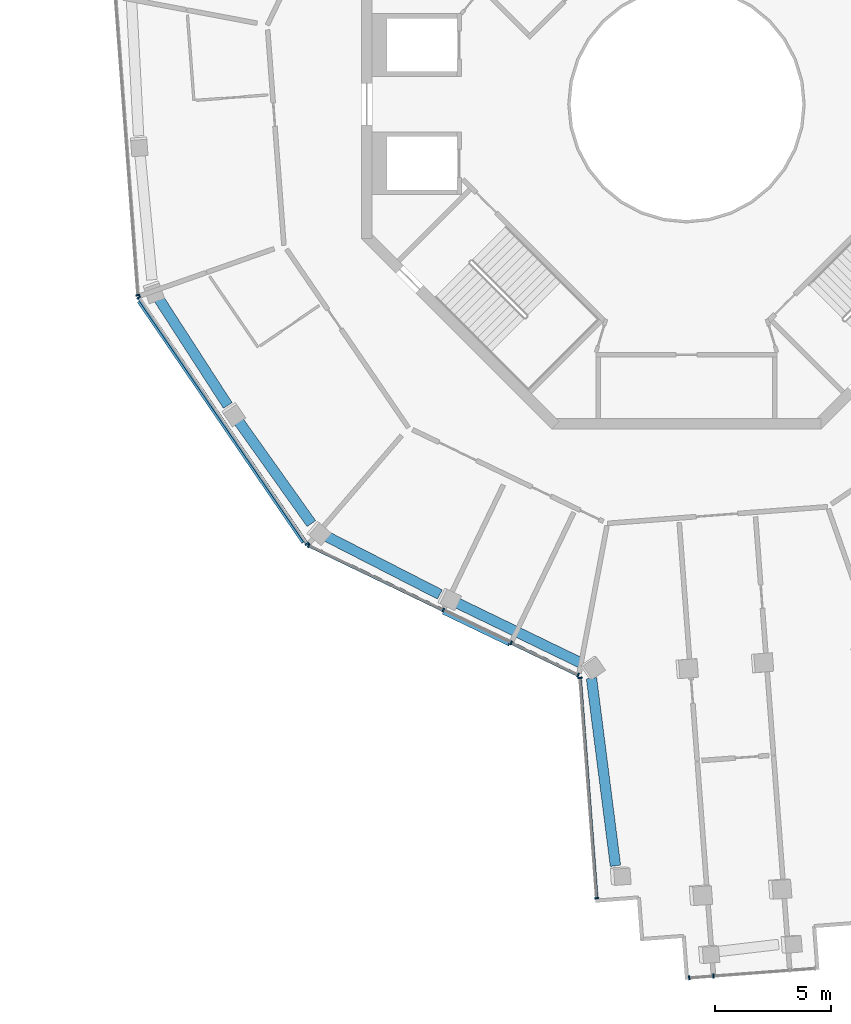
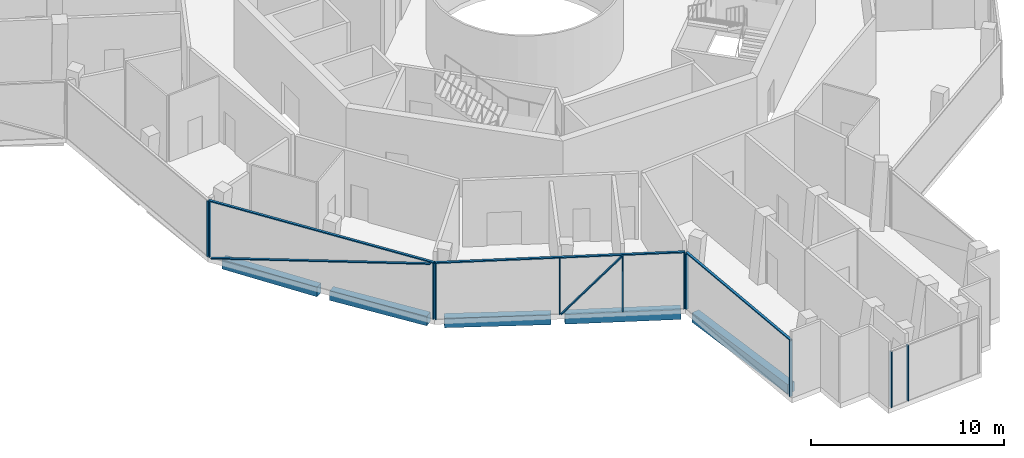
# One storey, part 2 of 19: 16 members, 5 beams, 5 elements without a shape of their own.
"""IFC4 building model written with IfcOpenShell, lengths in metres."""

from ifc_helpers import new_model, si_unit, direction, frame, origin, origin_2d, place, context, subcontext, project, spatial, rectangle, extrude, material, layer, layer_set, material_profile, profile_set, type_object, element, aggregate, save


model = new_model("IFC4")

# Units and contexts
model_context = context("Model", 3, precision=1e-05, world=origin(), true_north=direction((0.0, 1.0)))
body_context = subcontext(model_context, "Body", "Model", "MODEL_VIEW")
ifc_project = project(units=[si_unit("LENGTHUNIT", "METRE"), si_unit("AREAUNIT", "SQUARE_METRE"), si_unit("VOLUMEUNIT", "CUBIC_METRE"), si_unit("PLANEANGLEUNIT", "RADIAN"), si_unit("MASSUNIT", "GRAM", prefix="KILO")], contexts=[model_context])

# Site, building, storey
site_placement = place(None, origin())
site = spatial("IfcSite", under=ifc_project, at=site_placement, CompositionType="ELEMENT")
building_placement = place(site_placement, origin())
building = spatial("IfcBuilding", under=site, at=building_placement, Name="Verdalira Terraces Hotel", CompositionType="ELEMENT")
storey_placement = place(building_placement, frame((0.0, 0.0, 295.0)))
storey = spatial("IfcBuildingStorey", under=building, at=storey_placement, Name="L73", CompositionType="ELEMENT", Elevation=295.0)

# Curtain wall, member
ifc_material_1 = material(Name="Clear glass", Category="glass")
ifc_layer = layer(ifc_material_1, 0.179931640625)
ifc_layer_set = layer_set([ifc_layer], Name="CW4 curtain wall")
curtain_wall_type = type_object("IfcCurtainWallType", Name="CW4 curtain wall", PredefinedType="NOTDEFINED", material=ifc_layer_set)
curtain_wall_1_placement = place(storey_placement, origin())
curtain_wall_1 = element("IfcCurtainWall", 1, at=curtain_wall_1_placement, inside=storey, type_object=curtain_wall_type, Name="CW4 curtain wall L73 edge 11", PredefinedType="NOTDEFINED")
ifc_material_2 = material(Name="Terracotta frame", Category="masonry")
ifc_material_profile_1 = material_profile(ifc_material_2, rectangle(XDim=0.064941, YDim=0.179932, at=origin_2d()), Name="MU 65x180")
ifc_profile_set_1 = profile_set([ifc_material_profile_1], Name="Terracotta frame")
member_type_1 = type_object("IfcMemberType", Name="CW4 mullion 65x180", PredefinedType="MULLION", material=ifc_profile_set_1)
member_1_placement = place(storey_placement, frame((-23.645508, -8.231934, 0.0), z_axis=(0.0, 0.0, 1.0), x_axis=(0.075326806, -0.9971589, 0.0)))
member_1 = element("IfcMember", 2, at=member_1_placement, type_object=member_type_1, Name="CW4 mullion", PredefinedType="MULLION", context=body_context, shape_type="SweptSolid", body=[
    extrude(rectangle(XDim=0.064941, YDim=0.179932, at=origin_2d()), origin(), (0.0, 0.0, 1.0), 3.52002),
])
aggregate(curtain_wall_1, [member_1])

# Curtain wall, members
curtain_wall_2_placement = place(storey_placement, origin())
curtain_wall_2 = element("IfcCurtainWall", 3, at=curtain_wall_2_placement, inside=storey, type_object=curtain_wall_type, Name="CW4 curtain wall L73 edge 12", PredefinedType="NOTDEFINED")
member_2_placement = place(storey_placement, frame((-23.609131, -8.334961, 0.0), z_axis=(0.0, 0.0, 1.0), x_axis=(0.563814377, -0.825901536, 0.0)))
member_2 = element("IfcMember", 4, at=member_2_placement, type_object=member_type_1, Name="CW4 mullion", PredefinedType="MULLION", context=body_context, shape_type="SweptSolid", body=[
    extrude(rectangle(XDim=0.064941, YDim=0.179932, at=origin_2d()), origin(), (0.0, 0.0, 1.0), 3.52002),
])
member_3_placement = place(storey_placement, frame((-16.361572, -18.95166, 0.0), z_axis=(0.0, 0.0, 1.0), x_axis=(0.563814377, -0.825901536, 0.0)))
member_3 = element("IfcMember", 5, at=member_3_placement, type_object=member_type_1, Name="CW4 mullion", PredefinedType="MULLION", context=body_context, shape_type="SweptSolid", body=[
    extrude(rectangle(XDim=0.064941, YDim=0.179932, at=origin_2d()), origin(), (0.0, 0.0, 1.0), 3.52002),
])

curtain_wall_3_placement = place(storey_placement, origin())
curtain_wall_3 = element("IfcCurtainWall", 6, at=curtain_wall_3_placement, inside=storey, type_object=curtain_wall_type, Name="CW4 curtain wall L73 edge 13", PredefinedType="NOTDEFINED")
member_4_placement = place(storey_placement, frame((-16.278564, -19.022949, 0.0), z_axis=(0.0, 0.0, 1.0), x_axis=(0.901228342, -0.433344523, 0.0)))
member_4 = element("IfcMember", 7, at=member_4_placement, type_object=member_type_1, Name="CW4 mullion", PredefinedType="MULLION", context=body_context, shape_type="SweptSolid", body=[
    extrude(rectangle(XDim=0.064941, YDim=0.179932, at=origin_2d()), origin(), (0.0, 0.0, 1.0), 3.52002),
])
member_5_placement = place(storey_placement, frame((-10.486328, -21.808105, 0.0), z_axis=(0.0, 0.0, 1.0), x_axis=(0.901228342, -0.433344523, 0.0)))
member_5 = element("IfcMember", 8, at=member_5_placement, type_object=member_type_1, Name="CW4 mullion", PredefinedType="MULLION", context=body_context, shape_type="SweptSolid", body=[
    extrude(rectangle(XDim=0.064941, YDim=0.179932, at=origin_2d()), origin(), (0.0, 0.0, 1.0), 3.52002),
])
member_6_placement = place(storey_placement, frame((-7.557129, -23.216553, 0.0), z_axis=(0.0, 0.0, 1.0), x_axis=(0.901228342, -0.433344523, 0.0)))
member_6 = element("IfcMember", 9, at=member_6_placement, type_object=member_type_1, Name="CW4 mullion", PredefinedType="MULLION", context=body_context, shape_type="SweptSolid", body=[
    extrude(rectangle(XDim=0.064941, YDim=0.179932, at=origin_2d()), origin(), (0.0, 0.0, 1.0), 3.52002),
])
member_7_placement = place(storey_placement, frame((-4.673096, -24.603271, 0.0), z_axis=(0.0, 0.0, 1.0), x_axis=(0.901228342, -0.433344523, 0.0)))
member_7 = element("IfcMember", 10, at=member_7_placement, type_object=member_type_1, Name="CW4 mullion", PredefinedType="MULLION", context=body_context, shape_type="SweptSolid", body=[
    extrude(rectangle(XDim=0.064941, YDim=0.179932, at=origin_2d()), origin(), (0.0, 0.0, 1.0), 3.52002),
])

curtain_wall_4_placement = place(storey_placement, origin())
curtain_wall_4 = element("IfcCurtainWall", 11, at=curtain_wall_4_placement, inside=storey, type_object=curtain_wall_type, Name="CW4 curtain wall L73 edge 14", PredefinedType="NOTDEFINED")
member_8_placement = place(storey_placement, frame((-4.590576, -24.724121, 0.0), z_axis=(0.0, 0.0, 1.0), x_axis=(0.075326806, -0.9971589, 0.0)))
member_8 = element("IfcMember", 12, at=member_8_placement, type_object=member_type_1, Name="CW4 mullion", PredefinedType="MULLION", context=body_context, shape_type="SweptSolid", body=[
    extrude(rectangle(XDim=0.064941, YDim=0.179932, at=origin_2d()), origin(), (0.0, 0.0, 1.0), 3.52002),
])
member_9_placement = place(storey_placement, frame((-3.873047, -34.223877, 0.0), z_axis=(0.0, 0.0, 1.0), x_axis=(0.075326806, -0.9971589, 0.0)))
member_9 = element("IfcMember", 13, at=member_9_placement, type_object=member_type_1, Name="CW4 mullion", PredefinedType="MULLION", context=body_context, shape_type="SweptSolid", body=[
    extrude(rectangle(XDim=0.064941, YDim=0.179932, at=origin_2d()), origin(), (0.0, 0.0, 1.0), 3.52002),
])

curtain_wall_5_placement = place(storey_placement, origin())
curtain_wall_5 = element("IfcCurtainWall", 14, at=curtain_wall_5_placement, inside=storey, type_object=curtain_wall_type, Name="CW4 curtain wall L73 edge 19", PredefinedType="NOTDEFINED")
member_10_placement = place(storey_placement, frame((0.119385, -37.655518, 0.0), z_axis=(0.0, 0.0, 1.0), x_axis=(0.9971589, 0.075326806, 0.0)))
member_10 = element("IfcMember", 15, at=member_10_placement, type_object=member_type_1, Name="CW4 mullion", PredefinedType="MULLION", context=body_context, shape_type="SweptSolid", body=[
    extrude(rectangle(XDim=0.064941, YDim=0.179932, at=origin_2d()), origin(), (0.0, 0.0, 1.0), 3.52002),
])
member_11_placement = place(storey_placement, frame((1.163818, -37.576416, 0.0), z_axis=(0.0, 0.0, 1.0), x_axis=(0.9971589, 0.075326806, 0.0)))
member_11 = element("IfcMember", 16, at=member_11_placement, type_object=member_type_1, Name="CW4 mullion", PredefinedType="MULLION", context=body_context, shape_type="SweptSolid", body=[
    extrude(rectangle(XDim=0.064941, YDim=0.179932, at=origin_2d()), origin(), (0.0, 0.0, 1.0), 3.52002),
])
aggregate(curtain_wall_5, [member_10, member_11])

# Member
ifc_material_3 = material(Name="Terracotta frame", Category="masonry")
ifc_material_profile_2 = material_profile(ifc_material_3, rectangle(XDim=0.139893, YDim=0.070068, at=origin_2d()), Name="TR 70x140")
ifc_profile_set_2 = profile_set([ifc_material_profile_2], Name="Terracotta frame")
member_type_2 = type_object("IfcMemberType", Name="CW4 transom 70x140", PredefinedType="USERDEFINED", material=ifc_profile_set_2)
member_12_placement = place(storey_placement, frame((-23.627686, -8.308105, 3.554932), z_axis=(0.563819886, -0.825897776, 0.0), x_axis=(0.825897776, 0.563819886, 0.0)))
member_12 = element("IfcMember", 17, at=member_12_placement, type_object=member_type_2, Name="CW4 transom", ObjectType="TRANSOM", PredefinedType="USERDEFINED", context=body_context, shape_type="SweptSolid", body=[
    extrude(rectangle(XDim=0.139893, YDim=0.070068, at=origin_2d()), origin(), (0.0, 0.0, 1.0), 12.919678),
])

member_13_placement = place(storey_placement, frame((-16.307861, -19.008789, 3.554932), z_axis=(0.901224657, -0.433352186, 0.0), x_axis=(0.433352186, 0.901224657, 0.0)))
member_13 = element("IfcMember", 18, at=member_13_placement, type_object=member_type_2, Name="CW4 transom", ObjectType="TRANSOM", PredefinedType="USERDEFINED", context=body_context, shape_type="SweptSolid", body=[
    extrude(rectangle(XDim=0.139893, YDim=0.070068, at=origin_2d()), origin(), (0.0, 0.0, 1.0), 12.942383),
])

member_14_placement = place(storey_placement, frame((-4.593018, -24.691895, 3.554932), z_axis=(0.075316406, -0.997159686, 0.0), x_axis=(0.997159686, 0.075316406, 0.0)))
member_14 = element("IfcMember", 19, at=member_14_placement, type_object=member_type_2, Name="CW4 transom", ObjectType="TRANSOM", PredefinedType="USERDEFINED", context=body_context, shape_type="SweptSolid", body=[
    extrude(rectangle(XDim=0.139893, YDim=0.070068, at=origin_2d()), origin(), (0.0, 0.0, 1.0), 9.591797),
])

aggregate(curtain_wall_4, [member_8, member_9, member_14])

ifc_material_4 = material(Name="Terracotta frame", Category="masonry")
ifc_material_profile_3 = material_profile(ifc_material_4, rectangle(XDim=0.149902, YDim=0.060059, at=origin_2d()), Name="GB 60x150")
ifc_profile_set_3 = profile_set([ifc_material_profile_3], Name="Terracotta frame")
member_type_3 = type_object("IfcMemberType", Name="Diagonal glazing bar 60x150", PredefinedType="USERDEFINED", material=ifc_profile_set_3)
member_15_placement = place(storey_placement, frame((-23.607422, -8.502686, 0.029541), z_axis=(0.543604336, -0.796295561, 0.265344504), x_axis=(0.825901086, 0.563815038, 0.0)))
member_15 = element("IfcMember", 20, at=member_15_placement, type_object=member_type_3, Name="Diagonal glazing bar", ObjectType="GLAZING BAR", PredefinedType="USERDEFINED", context=body_context, shape_type="SweptSolid", body=[
    extrude(rectangle(XDim=0.149902, YDim=0.060059, at=origin_2d()), origin(), (0.0, 0.0, 1.0), 13.043213),
])

aggregate(curtain_wall_2, [member_2, member_3, member_12, member_15])

member_16_placement = place(storey_placement, frame((-10.476074, -21.91626, 0.026123), z_axis=(0.604706594, -0.29076448, 0.741475524), x_axis=(0.433343044, 0.901229053, 0.0)))
member_16 = element("IfcMember", 21, at=member_16_placement, type_object=member_type_3, Name="Diagonal glazing bar", ObjectType="GLAZING BAR", PredefinedType="USERDEFINED", context=body_context, shape_type="SweptSolid", body=[
    extrude(rectangle(XDim=0.149902, YDim=0.060059, at=origin_2d()), origin(), (0.0, 0.0, 1.0), 4.676758),
])

aggregate(curtain_wall_3, [member_4, member_5, member_6, member_7, member_13, member_16])

# Beams
ifc_material_5 = material(Name="Concrete C40", Category="concrete")
ifc_material_profile_4 = material_profile(ifc_material_5, rectangle(XDim=0.449951, YDim=0.600098, at=origin_2d()), Name="RC 450X600")
ifc_profile_set_4 = profile_set([ifc_material_profile_4], Name="Concrete C40")
beam_type = type_object("IfcBeamType", Name="Spandrel beam RC 450X600 C40", PredefinedType="SPANDREL", material=ifc_profile_set_4)
beam_1_placement = place(storey_placement, frame((-22.768311, -8.346191, -0.610107), z_axis=(0.542884706, -0.839807237, 0.0), x_axis=(0.839807237, 0.542884706, 0.0)))
element("IfcBeam", 22, at=beam_1_placement, inside=storey, type_object=beam_type, Name="Spandrel beam B06", PredefinedType="SPANDREL", context=body_context, shape_type="SweptSolid", body=[
    extrude(rectangle(XDim=0.449951, YDim=0.600098, at=origin_2d()), origin(), (0.0, 0.0, 1.0), 5.523682),
])
beam_2_placement = place(storey_placement, frame((-19.36792, -13.576904, -0.610107), z_axis=(0.579660175, -0.81485832, 0.0), x_axis=(0.81485832, 0.579660175, 0.0)))
element("IfcBeam", 23, at=beam_2_placement, inside=storey, type_object=beam_type, Name="Spandrel beam B07", PredefinedType="SPANDREL", context=body_context, shape_type="SweptSolid", body=[
    extrude(rectangle(XDim=0.449951, YDim=0.600098, at=origin_2d()), origin(), (0.0, 0.0, 1.0), 5.52124),
])
beam_3_placement = place(storey_placement, frame((-15.544678, -18.612305, -0.610107), z_axis=(0.890062611, -0.455838293, 0.0), x_axis=(0.455838293, 0.890062611, 0.0)))
element("IfcBeam", 24, at=beam_3_placement, inside=storey, type_object=beam_type, Name="Spandrel beam B08", PredefinedType="SPANDREL", context=body_context, shape_type="SweptSolid", body=[
    extrude(rectangle(XDim=0.449951, YDim=0.600098, at=origin_2d()), origin(), (0.0, 0.0, 1.0), 5.523438),
])
beam_4_placement = place(storey_placement, frame((-9.994873, -21.445801, -0.610107), z_axis=(0.899961406, -0.435969571, 0.0), x_axis=(0.435969571, 0.899961406, 0.0)))
element("IfcBeam", 25, at=beam_4_placement, inside=storey, type_object=beam_type, Name="Spandrel beam B09", PredefinedType="SPANDREL", context=body_context, shape_type="SweptSolid", body=[
    extrude(rectangle(XDim=0.449951, YDim=0.600098, at=origin_2d()), origin(), (0.0, 0.0, 1.0), 6.011475),
])
beam_5_placement = place(storey_placement, frame((-4.093506, -24.740479, -0.610107), z_axis=(0.126707139, -0.99194017, 0.0), x_axis=(0.99194017, 0.126707139, 0.0)))
element("IfcBeam", 26, at=beam_5_placement, inside=storey, type_object=beam_type, Name="Spandrel beam B10", PredefinedType="SPANDREL", context=body_context, shape_type="SweptSolid", body=[
    extrude(rectangle(XDim=0.449951, YDim=0.600098, at=origin_2d()), origin(), (0.0, 0.0, 1.0), 8.150391),
])

save(model, "model.ifc")
